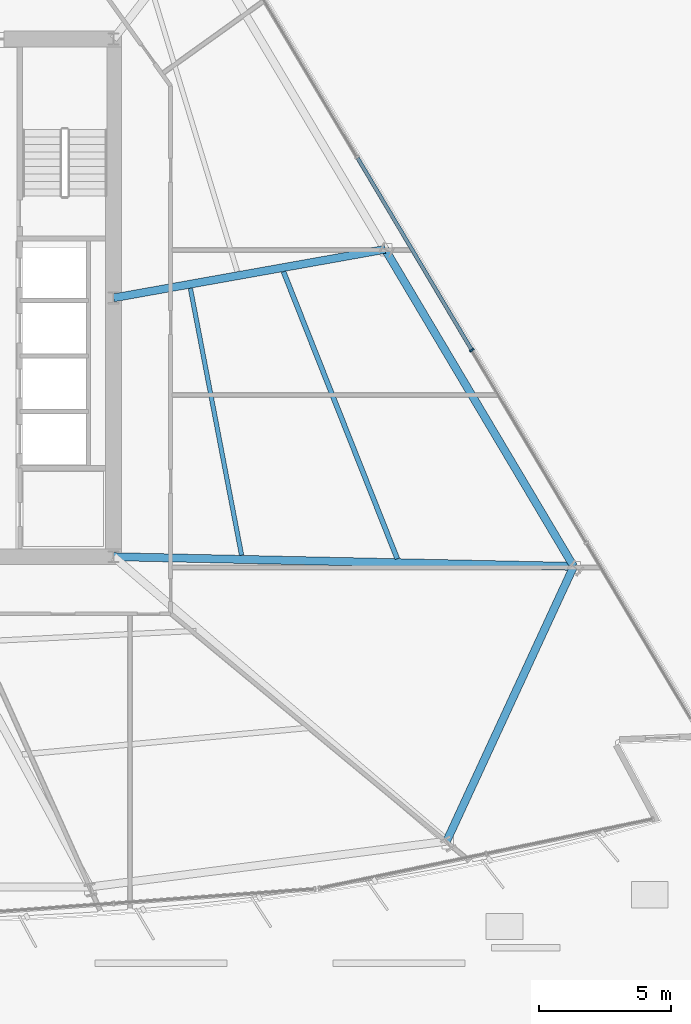
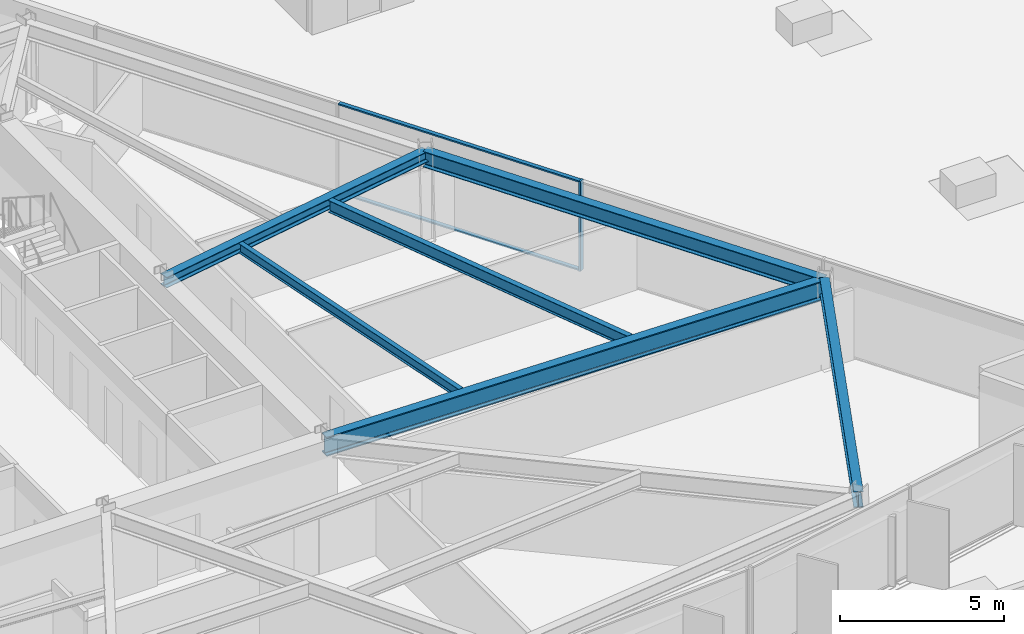
# One storey, part 4 of 19: 6 beams, 3 members, 1 element without a shape of its own.
"""IFC4 building model written with IfcOpenShell, lengths in metres."""

from ifc_helpers import new_model, si_unit, direction, frame, origin, origin_2d, place, context, subcontext, project, spatial, rectangle, i_section, extrude, material, material_profile, profile_set, type_object, element, aggregate, save


model = new_model("IFC4")

# Units and contexts
model_context = context("Model", 3, precision=1e-05, world=origin(), true_north=direction((0.0, 1.0)))
body_context = subcontext(model_context, "Body", "Model", "MODEL_VIEW")
ifc_project = project(units=[si_unit("LENGTHUNIT", "METRE"), si_unit("AREAUNIT", "SQUARE_METRE"), si_unit("VOLUMEUNIT", "CUBIC_METRE"), si_unit("PLANEANGLEUNIT", "RADIAN"), si_unit("MASSUNIT", "GRAM", prefix="KILO")], contexts=[model_context])

# Site, building, storey
site_placement = place(None, origin())
site = spatial("IfcSite", under=ifc_project, at=site_placement, CompositionType="ELEMENT")
building_placement = place(site_placement, origin())
building = spatial("IfcBuilding", under=site, at=building_placement, Name="Savorim Split Tower", CompositionType="ELEMENT")
storey_placement = place(building_placement, frame((0.0, 0.0, 26.39990234375)))
storey = spatial("IfcBuildingStorey", under=building, at=storey_placement, Name="L06", CompositionType="ELEMENT", Elevation=26.39990234375)

# Beams
ifc_material_1 = material(Name="Steel S355", Category="steel")
ifc_material_profile_1 = material_profile(ifc_material_1, i_section(OverallWidth=0.169921875, OverallDepth=0.360107421875, WebThickness=0.008056640625, FlangeThickness=0.0126953125, FilletRadius=0.01806640625, at=origin_2d()), Name="IPE 360")
ifc_profile_set_1 = profile_set([ifc_material_profile_1], Name="Steel S355")
beam_type_1 = type_object("IfcBeamType", Name="BM-JST-IPE360", PredefinedType="JOIST", material=ifc_profile_set_1)
beam_1_placement = place(storey_placement, frame((12.54736328125, -9.345947265625, 3.170166015625), z_axis=(-0.188433671486, 0.982085918568, 0.0), x_axis=(-0.982085918568, -0.188433671486, 0.0)))
element("IfcBeam", 1, at=beam_1_placement, inside=storey, type_object=beam_type_1, Name="L06 Secondary Floor Joist JS-08", PredefinedType="JOIST", context=body_context, shape_type="SweptSolid", body=[
    extrude(i_section(OverallWidth=0.169921875, OverallDepth=0.360107421875, WebThickness=0.008056640625, FlangeThickness=0.0126953125, FilletRadius=0.01806640625, at=origin_2d()), origin(), (0.0, 0.0, 1.0), 10.287353515625),
])
ifc_material_profile_2 = material_profile(ifc_material_1, i_section(OverallWidth=0.18994140625, OverallDepth=0.449951171875, WebThickness=0.009521484375, FlangeThickness=0.0146484375, FilletRadius=0.02099609375, at=origin_2d()), Name="IPE 450")
ifc_profile_set_2 = profile_set([ifc_material_profile_2], Name="Steel S355")
beam_type_2 = type_object("IfcBeamType", Name="BM-JST-IPE450", PredefinedType="JOIST", material=ifc_profile_set_2)
beam_2_placement = place(storey_placement, frame((18.44140625, -9.4794921875, 3.125), z_axis=(-0.368440302027, 0.929651409853, 0.0), x_axis=(-0.929651409853, -0.368440302027, 0.0)))
element("IfcBeam", 2, at=beam_2_placement, inside=storey, type_object=beam_type_2, Name="L06 Secondary Floor Joist JS-06", PredefinedType="JOIST", context=body_context, shape_type="SweptSolid", body=[
    extrude(i_section(OverallWidth=0.18994140625, OverallDepth=0.449951171875, WebThickness=0.009521484375, FlangeThickness=0.0146484375, FilletRadius=0.02099609375, at=origin_2d()), origin(), (0.0, 0.0, 1.0), 11.692138671875),
])
ifc_material_profile_3 = material_profile(ifc_material_1, i_section(OverallWidth=0.300048828125, OverallDepth=0.39990234375, WebThickness=0.013427734375, FlangeThickness=0.02392578125, FilletRadius=0.027099609375, at=origin_2d()), Name="HEB 400")
ifc_profile_set_3 = profile_set([ifc_material_profile_3], Name="Steel S355")
beam_type_3 = type_object("IfcBeamType", Name="BM-PRI-HEB400", PredefinedType="BEAM", material=ifc_profile_set_3)
beam_3_placement = place(storey_placement, frame((17.981689453125, 2.23681640625, 3.150146484375), z_axis=(-0.984412836294, -0.175873158101, 0.0), x_axis=(0.175873158101, -0.984412836294, 0.0)))
element("IfcBeam", 3, at=beam_3_placement, inside=storey, type_object=beam_type_3, Name="L06 Primary Floor Girder RG-06", PredefinedType="BEAM", context=body_context, shape_type="SweptSolid", body=[
    extrude(i_section(OverallWidth=0.300048828125, OverallDepth=0.39990234375, WebThickness=0.013427734375, FlangeThickness=0.02392578125, FilletRadius=0.027099609375, at=origin_2d()), origin(), (0.0, 0.0, 1.0), 10.444580078125),
])
ifc_material_2 = material(Name="Steel S460", Category="steel")
ifc_material_profile_4 = material_profile(ifc_material_2, i_section(OverallWidth=0.303955078125, OverallDepth=0.716064453125, WebThickness=0.02099609375, FlangeThickness=0.0400390625, FilletRadius=0.027099609375, at=origin_2d()), Name="HE 700 M")
ifc_profile_set_4 = profile_set([ifc_material_profile_4], Name="Steel S460")
beam_type_4 = type_object("IfcBeamType", Name="BM-PRI-HEM700", PredefinedType="BEAM", material=ifc_profile_set_4)
beam_4_placement = place(storey_placement, frame((25.119873046875, -9.767822265625, 2.9921875), z_axis=(-0.999777033848, 0.021115932139, 0.0), x_axis=(-0.021115932139, -0.999777033848, 0.0)))
element("IfcBeam", 4, at=beam_4_placement, inside=storey, type_object=beam_type_4, Name="L06 Primary Floor Girder RG-05", PredefinedType="BEAM", context=body_context, shape_type="SweptSolid", body=[
    extrude(i_section(OverallWidth=0.303955078125, OverallDepth=0.716064453125, WebThickness=0.02099609375, FlangeThickness=0.0400390625, FilletRadius=0.027099609375, at=origin_2d()), origin(), (0.0, 0.0, 1.0), 17.423828125),
])
ifc_material_profile_5 = material_profile(ifc_material_1, i_section(OverallWidth=0.300048828125, OverallDepth=0.590087890625, WebThickness=0.012939453125, FlangeThickness=0.02490234375, FilletRadius=0.027099609375, at=origin_2d()), Name="HEA 600")
ifc_profile_set_5 = profile_set([ifc_material_profile_5], Name="Steel S355")
beam_type_5 = type_object("IfcBeamType", Name="BM-SPN-HEA600", PredefinedType="SPANDREL", material=ifc_profile_set_5)
beam_5_placement = place(storey_placement, frame((20.31005859375, -20.17138671875, 3.05517578125), z_axis=(0.419645678135, 0.907687999713, 0.0), x_axis=(-0.907687999713, 0.419645678135, 0.0)))
element("IfcBeam", 5, at=beam_5_placement, inside=storey, type_object=beam_type_5, Name="L06 Perimeter Spandrel Beam 4", PredefinedType="SPANDREL", context=body_context, shape_type="SweptSolid", body=[
    extrude(i_section(OverallWidth=0.300048828125, OverallDepth=0.590087890625, WebThickness=0.012939453125, FlangeThickness=0.02490234375, FilletRadius=0.027099609375, at=origin_2d()), origin(), (0.0, 0.0, 1.0), 11.461669921875),
])
beam_6_placement = place(storey_placement, frame((25.119873046875, -9.767822265625, 3.05517578125), z_axis=(-0.511090750607, 0.859526756212, 0.0), x_axis=(-0.859526756212, -0.511090750607, 0.0)))
element("IfcBeam", 6, at=beam_6_placement, inside=storey, type_object=beam_type_5, Name="L06 Perimeter Spandrel Beam 5", PredefinedType="SPANDREL", context=body_context, shape_type="SweptSolid", body=[
    extrude(i_section(OverallWidth=0.300048828125, OverallDepth=0.590087890625, WebThickness=0.012939453125, FlangeThickness=0.02490234375, FilletRadius=0.027099609375, at=origin_2d()), origin(), (0.0, 0.0, 1.0), 13.966552734375),
])

# Curtain wall, members
ifc_material_3 = material(Name="Dark Ceramic-Fritted Insulated Glass", Category="glass")
curtain_wall_type = type_object("IfcCurtainWallType", Name="CW-TWR-FRIT-A", PredefinedType="NOTDEFINED", material=ifc_material_3)
curtain_wall_placement = place(storey_placement, origin())
curtain_wall = element("IfcCurtainWall", 7, at=curtain_wall_placement, inside=storey, type_object=curtain_wall_type, Name="L06 Curtain Wall CW-L06-EAST", PredefinedType="NOTDEFINED")
ifc_material_4 = material(Name="Charcoal Anodised Aluminium", Category="aluminium")
ifc_material_profile_6 = material_profile(ifc_material_4, rectangle(XDim=0.179931640625, YDim=0.06494140625, at=origin_2d()), Name="ALU-M 180x65")
ifc_profile_set_6 = profile_set([ifc_material_profile_6], Name="Charcoal Anodised Aluminium")
member_type_1 = type_object("IfcMemberType", Name="CWM-180x65", PredefinedType="MULLION", material=ifc_profile_set_6)
member_1_placement = place(storey_placement, frame((21.263916015625, -1.5791015625, 0.0), z_axis=(0.0, 0.0, 1.0), x_axis=(-0.859525752007, -0.511092439425, 0.0)))
member_1 = element("IfcMember", 8, at=member_1_placement, type_object=member_type_1, Name="CW-02 mullion 3", PredefinedType="MULLION", context=body_context, shape_type="SweptSolid", body=[
    extrude(rectangle(XDim=0.179931640625, YDim=0.06494140625, at=origin_2d()), origin(), (0.0, 0.0, 1.0), 3.35009765625),
])
ifc_material_profile_7 = material_profile(ifc_material_4, rectangle(XDim=0.139892578125, YDim=0.054931640625, at=origin_2d()), Name="ALU-T 140x55")
ifc_profile_set_7 = profile_set([ifc_material_profile_7], Name="Charcoal Anodised Aluminium")
member_type_2 = type_object("IfcMemberType", Name="CWT-140x55", PredefinedType="USERDEFINED", material=ifc_profile_set_7)
member_2_placement = place(storey_placement, frame((21.2470703125, -1.55126953125, 0.027587890625), z_axis=(-0.511096217662, 0.859523505375, 0.0), x_axis=(-0.859523505375, -0.511096217662, 0.0)))
member_2 = element("IfcMember", 9, at=member_2_placement, type_object=member_type_2, Name="CW-02 transom 3.1", ObjectType="TRANSOM", PredefinedType="USERDEFINED", context=body_context, shape_type="SweptSolid", body=[
    extrude(rectangle(XDim=0.139892578125, YDim=0.054931640625, at=origin_2d()), origin(), (0.0, 0.0, 1.0), 8.42724609375),
])
member_3_placement = place(storey_placement, frame((21.2470703125, -1.55126953125, 3.322509765625), z_axis=(-0.511096217662, 0.859523505375, 0.0), x_axis=(-0.859523505375, -0.511096217662, 0.0)))
member_3 = element("IfcMember", 10, at=member_3_placement, type_object=member_type_2, Name="CW-02 transom 3.2", ObjectType="TRANSOM", PredefinedType="USERDEFINED", context=body_context, shape_type="SweptSolid", body=[
    extrude(rectangle(XDim=0.139892578125, YDim=0.054931640625, at=origin_2d()), origin(), (0.0, 0.0, 1.0), 8.42724609375),
])
aggregate(curtain_wall, [member_1, member_2, member_3])

save(model, "model.ifc")
